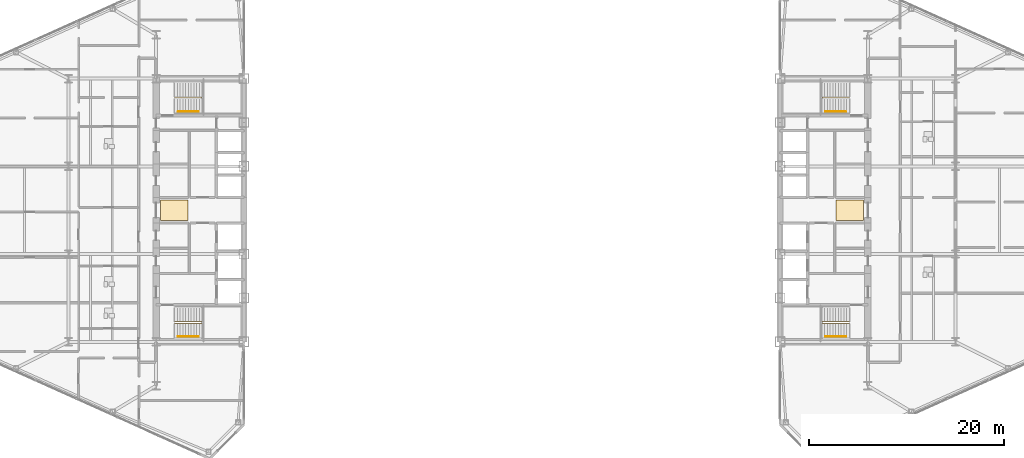
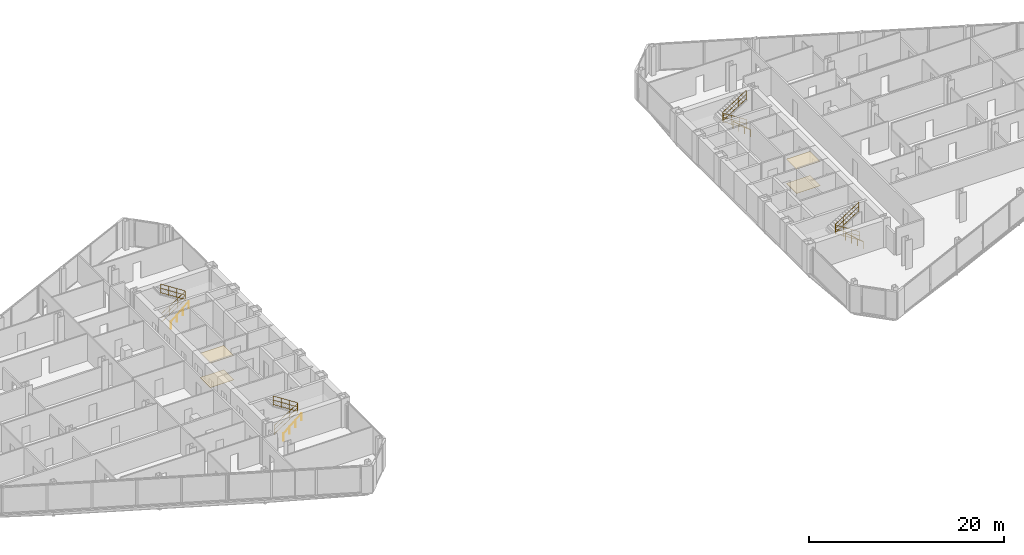
# One storey, part 26 of 27: 8 railings, 4 coverings.
"""IFC4 building model written with IfcOpenShell, lengths in metres."""

from ifc_helpers import new_model, si_unit, direction, frame, origin, origin_2d, place, context, subcontext, project, spatial, polyline, circle, outline, extrude, material, layer, layer_set, type_object, element, save


model = new_model("IFC4")

# Units and contexts
model_context = context("Model", 3, precision=1e-05, world=origin(), true_north=direction((0.0, 1.0)))
body_context = subcontext(model_context, "Body", "Model", "MODEL_VIEW")
ifc_project = project(units=[si_unit("LENGTHUNIT", "METRE"), si_unit("AREAUNIT", "SQUARE_METRE"), si_unit("VOLUMEUNIT", "CUBIC_METRE"), si_unit("PLANEANGLEUNIT", "RADIAN"), si_unit("MASSUNIT", "GRAM", prefix="KILO")], contexts=[model_context])

# Site, building, storey
site_placement = place(None, origin())
site = spatial("IfcSite", under=ifc_project, at=site_placement, CompositionType="ELEMENT")
building_placement = place(site_placement, origin())
building = spatial("IfcBuilding", under=site, at=building_placement, Name="Seokmaru Belvedere", CompositionType="ELEMENT")
storey_placement = place(building_placement, frame((0.0, 0.0, 69.300048828125)))
storey = spatial("IfcBuildingStorey", under=building, at=storey_placement, Name="L18", CompositionType="ELEMENT", Elevation=69.300048828125)

# Coverings
ifc_material_1 = material(Name="Engineered White Oak Timber", Category="wood")
ifc_layer_1 = layer(ifc_material_1, 0.02197265625)
ifc_layer_set_1 = layer_set([ifc_layer_1], Name="Engineered White Oak Timber")
covering_type_1 = type_object("IfcCoveringType", Name="Engineered Oak Residence Floor Finish 22", PredefinedType="FLOORING", material=ifc_layer_set_1)
covering_1_placement = place(storey_placement, origin())
element("IfcCovering", 1, at=covering_1_placement, inside=storey, type_object=covering_type_1, Name="L18 W Foyer Floor Finish", PredefinedType="FLOORING", context=body_context, shape_type="SweptSolid", body=[
    extrude(outline(polyline([(-36.050048828125, -1.050048828125), (-33.25, -1.050048828125), (-33.25, 1.050048828125), (-36.050048828125, 1.050048828125), (-36.050048828125, -1.050048828125)])), origin(), (0.0, 0.0, 1.0), 0.02197265625),
])
covering_2_placement = place(storey_placement, origin())
element("IfcCovering", 2, at=covering_2_placement, inside=storey, type_object=covering_type_1, Name="L18 E Foyer Floor Finish", PredefinedType="FLOORING", context=body_context, shape_type="SweptSolid", body=[
    extrude(outline(polyline([(33.25, -1.050048828125), (36.050048828125, -1.050048828125), (36.050048828125, 1.050048828125), (33.25, 1.050048828125), (33.25, -1.050048828125)])), origin(), (0.0, 0.0, 1.0), 0.02197265625),
])
ifc_material_2 = material(Name="Fire-Rated Gypsum Shaftwall")
ifc_layer_2 = layer(ifc_material_2, 0.02490234375)
ifc_layer_set_2 = layer_set([ifc_layer_2], Name="Fire-Rated Gypsum Shaftwall")
covering_type_2 = type_object("IfcCoveringType", Name="Perforated Acoustic Gypsum Suspended Ceiling 25", PredefinedType="CEILING", material=ifc_layer_set_2)
covering_3_placement = place(storey_placement, frame((0.0, 0.0, 3.030029296875)))
element("IfcCovering", 3, at=covering_3_placement, inside=storey, type_object=covering_type_2, Name="L18 W Lift Foyer Acoustic Ceiling", PredefinedType="CEILING", context=body_context, shape_type="SweptSolid", body=[
    extrude(outline(polyline([(-36.050048828125, -1.050048828125), (-33.25, -1.050048828125), (-33.25, 1.050048828125), (-36.050048828125, 1.050048828125), (-36.050048828125, -1.050048828125)])), origin(), (0.0, 0.0, 1.0), 0.02490234375),
])
covering_4_placement = place(storey_placement, frame((0.0, 0.0, 3.030029296875)))
element("IfcCovering", 4, at=covering_4_placement, inside=storey, type_object=covering_type_2, Name="L18 E Lift Foyer Acoustic Ceiling", PredefinedType="CEILING", context=body_context, shape_type="SweptSolid", body=[
    extrude(outline(polyline([(33.25, -1.050048828125), (36.050048828125, -1.050048828125), (36.050048828125, 1.050048828125), (33.25, 1.050048828125), (33.25, -1.050048828125)])), origin(), (0.0, 0.0, 1.0), 0.02490234375),
])

# Railings
ifc_material_3 = material(Name="Stainless Steel 316", Category="steel")
railing_type_1 = type_object("IfcRailingType", Name="Stainless Steel Wall and Flight Handrail 900", PredefinedType="HANDRAIL", material=ifc_material_3)
for number, where, name in (
    (5, (-34.25, -12.949951171875, 0.0), "L18 Stair ST-W1 Wall Handrail"),
    (6, (-34.25, 10.110107421875, 0.0), "L18 Stair ST-W2 Wall Handrail"),
):
    element("IfcRailing", number, at=place(storey_placement, frame(where)), inside=storey, type_object=railing_type_1, Name=name, PredefinedType="HANDRAIL", context=body_context, shape_type="SweptSolid", body=[
        extrude(circle(Radius=0.02392578125, at=origin_2d()), frame((0.0, 0.0, 0.8759765625), z_axis=(0.759262832861, 0.0, 0.650784104474), x_axis=(0.0, 1.0, 0.0)), (0.0, 0.0, 1.0), 2.765869140625),
        extrude(circle(Radius=0.02099609375, at=origin_2d()), origin(), (0.0, 0.0, 1.0), 0.851806640625),
        extrude(circle(Radius=0.02099609375, at=origin_2d()), frame((0.699951171875, 0.0, 0.60009765625)), (0.0, 0.0, 1.0), 0.851806640625),
        extrude(circle(Radius=0.02099609375, at=origin_2d()), frame((1.400146484375, 0.0, 1.199951171875)), (0.0, 0.0, 1.0), 0.851806640625),
        extrude(circle(Radius=0.02099609375, at=origin_2d()), frame((2.10009765625, 0.0, 1.800048828125)), (0.0, 0.0, 1.0), 0.851806640625),
    ])
for number, where, name in (
    (7, (34.25, -12.949951171875, 0.0), "L18 Stair ST-E1 Wall Handrail"),
    (8, (34.25, 10.110107421875, 0.0), "L18 Stair ST-E2 Wall Handrail"),
):
    element("IfcRailing", number, at=place(storey_placement, frame(where)), inside=storey, type_object=railing_type_1, Name=name, PredefinedType="HANDRAIL", context=body_context, shape_type="SweptSolid", body=[
        extrude(circle(Radius=0.02392578125, at=origin_2d()), frame((0.0, 0.0, 0.8759765625), z_axis=(-0.759262832861, 0.0, 0.650784104474), x_axis=(0.0, -1.0, 0.0)), (0.0, 0.0, 1.0), 2.765869140625),
        extrude(circle(Radius=0.02099609375, at=origin_2d()), origin(), (0.0, 0.0, 1.0), 0.851806640625),
        extrude(circle(Radius=0.02099609375, at=origin_2d()), frame((-0.699951171875, 0.0, 0.60009765625)), (0.0, 0.0, 1.0), 0.851806640625),
        extrude(circle(Radius=0.02099609375, at=origin_2d()), frame((-1.400146484375, 0.0, 1.199951171875)), (0.0, 0.0, 1.0), 0.851806640625),
        extrude(circle(Radius=0.02099609375, at=origin_2d()), frame((-2.10009765625, 0.0, 1.800048828125)), (0.0, 0.0, 1.0), 0.851806640625),
    ])
railing_type_2 = type_object("IfcRailingType", Name="Stair Well and Atrium Steel Guardrail 1200", PredefinedType="GUARDRAIL", material=ifc_material_3)
railing_1_placement = place(storey_placement, frame((-34.60009765625, -11.60009765625, 0.0)))
element("IfcRailing", 9, at=railing_1_placement, inside=storey, type_object=railing_type_2, Name="L18 Stair ST-W1 Inner Well Guardrail", PredefinedType="GUARDRAIL", context=body_context, shape_type="SweptSolid", body=[
    extrude(circle(Radius=0.02392578125, at=origin_2d()), frame((0.0, 0.0, 1.17578125), z_axis=(0.841176092368, 0.0, 0.540761298198), x_axis=(0.0, 1.0, 0.0)), (0.0, 0.0, 1.0), 3.32861328125),
    extrude(circle(Radius=0.02392578125, at=origin_2d()), frame((0.0, 0.0, 0.1201171875), z_axis=(0.841176092368, 0.0, 0.540761298198), x_axis=(0.0, 1.0, 0.0)), (0.0, 0.0, 1.0), 3.32861328125),
    extrude(circle(Radius=0.02392578125, at=origin_2d()), frame((0.0, 0.0, 0.659912109375), z_axis=(0.841176092368, 0.0, 0.540761298198), x_axis=(0.0, 1.0, 0.0)), (0.0, 0.0, 1.0), 3.32861328125),
    extrude(circle(Radius=0.02392578125, at=origin_2d()), frame((2.800048828125, 0.0, 2.97607421875), z_axis=(0.0, 1.0, 0.0), x_axis=(-1.0, 0.0, 0.0)), (0.0, 0.0, 1.0), 0.14013671875),
    extrude(circle(Radius=0.02392578125, at=origin_2d()), frame((2.800048828125, 0.0, 1.920166015625), z_axis=(0.0, 1.0, 0.0), x_axis=(-1.0, 0.0, 0.0)), (0.0, 0.0, 1.0), 0.14013671875),
    extrude(circle(Radius=0.02392578125, at=origin_2d()), frame((2.800048828125, 0.0, 2.4599609375), z_axis=(0.0, 1.0, 0.0), x_axis=(-1.0, 0.0, 0.0)), (0.0, 0.0, 1.0), 0.14013671875),
    extrude(circle(Radius=0.02392578125, at=origin_2d()), frame((2.800048828125, 0.14013671875, 2.97607421875), z_axis=(-0.841209454229, 0.0, 0.540709398952), x_axis=(0.0, -1.0, 0.0)), (0.0, 0.0, 1.0), 3.32861328125),
    extrude(circle(Radius=0.02392578125, at=origin_2d()), frame((2.800048828125, 0.14013671875, 1.920166015625), z_axis=(-0.841209454229, 0.0, 0.540709398952), x_axis=(0.0, -1.0, 0.0)), (0.0, 0.0, 1.0), 3.32861328125),
    extrude(circle(Radius=0.02392578125, at=origin_2d()), frame((2.800048828125, 0.14013671875, 2.4599609375), z_axis=(-0.841209454229, 0.0, 0.540709398952), x_axis=(0.0, -1.0, 0.0)), (0.0, 0.0, 1.0), 3.32861328125),
    extrude(circle(Radius=0.02099609375, at=origin_2d()), origin(), (0.0, 0.0, 1.0), 1.15185546875),
    extrude(circle(Radius=0.02099609375, at=origin_2d()), frame((0.933349609375, 0.0, 0.60009765625)), (0.0, 0.0, 1.0), 1.15185546875),
    extrude(circle(Radius=0.02099609375, at=origin_2d()), frame((1.86669921875, 0.0, 1.199951171875)), (0.0, 0.0, 1.0), 1.15185546875),
    extrude(circle(Radius=0.02099609375, at=origin_2d()), frame((2.800048828125, 0.0, 1.800048828125)), (0.0, 0.0, 1.0), 1.15185546875),
    extrude(circle(Radius=0.02099609375, at=origin_2d()), frame((2.800048828125, 0.14013671875, 1.800048828125)), (0.0, 0.0, 1.0), 1.15185546875),
    extrude(circle(Radius=0.02099609375, at=origin_2d()), frame((1.86669921875, 0.14013671875, 2.39990234375)), (0.0, 0.0, 1.0), 1.15185546875),
    extrude(circle(Radius=0.02099609375, at=origin_2d()), frame((0.933349609375, 0.14013671875, 3.0)), (0.0, 0.0, 1.0), 1.15185546875),
    extrude(circle(Radius=0.02099609375, at=origin_2d()), frame((0.0, 0.14013671875, 3.599853515625)), (0.0, 0.0, 1.0), 1.15185546875),
])
railing_2_placement = place(storey_placement, frame((-34.60009765625, 11.4599609375, 0.0)))
element("IfcRailing", 10, at=railing_2_placement, inside=storey, type_object=railing_type_2, Name="L18 Stair ST-W2 Inner Well Guardrail", PredefinedType="GUARDRAIL", context=body_context, shape_type="SweptSolid", body=[
    extrude(circle(Radius=0.02392578125, at=origin_2d()), frame((0.0, 0.0, 1.17578125), z_axis=(0.841176092368, 0.0, 0.540761298198), x_axis=(0.0, 1.0, 0.0)), (0.0, 0.0, 1.0), 3.32861328125),
    extrude(circle(Radius=0.02392578125, at=origin_2d()), frame((0.0, 0.0, 0.1201171875), z_axis=(0.841176092368, 0.0, 0.540761298198), x_axis=(0.0, 1.0, 0.0)), (0.0, 0.0, 1.0), 3.32861328125),
    extrude(circle(Radius=0.02392578125, at=origin_2d()), frame((0.0, 0.0, 0.659912109375), z_axis=(0.841176092368, 0.0, 0.540761298198), x_axis=(0.0, 1.0, 0.0)), (0.0, 0.0, 1.0), 3.32861328125),
    extrude(circle(Radius=0.02392578125, at=origin_2d()), frame((2.800048828125, 0.0, 2.97607421875), z_axis=(0.0, 1.0, 0.0), x_axis=(-1.0, 0.0, 0.0)), (0.0, 0.0, 1.0), 0.14013671875),
    extrude(circle(Radius=0.02392578125, at=origin_2d()), frame((2.800048828125, 0.0, 1.920166015625), z_axis=(0.0, 1.0, 0.0), x_axis=(-1.0, 0.0, 0.0)), (0.0, 0.0, 1.0), 0.14013671875),
    extrude(circle(Radius=0.02392578125, at=origin_2d()), frame((2.800048828125, 0.0, 2.4599609375), z_axis=(0.0, 1.0, 0.0), x_axis=(-1.0, 0.0, 0.0)), (0.0, 0.0, 1.0), 0.14013671875),
    extrude(circle(Radius=0.02392578125, at=origin_2d()), frame((2.800048828125, 0.14013671875, 2.97607421875), z_axis=(-0.841209454229, 0.0, 0.540709398952), x_axis=(0.0, -1.0, 0.0)), (0.0, 0.0, 1.0), 3.32861328125),
    extrude(circle(Radius=0.02392578125, at=origin_2d()), frame((2.800048828125, 0.14013671875, 1.920166015625), z_axis=(-0.841209454229, 0.0, 0.540709398952), x_axis=(0.0, -1.0, 0.0)), (0.0, 0.0, 1.0), 3.32861328125),
    extrude(circle(Radius=0.02392578125, at=origin_2d()), frame((2.800048828125, 0.14013671875, 2.4599609375), z_axis=(-0.841209454229, 0.0, 0.540709398952), x_axis=(0.0, -1.0, 0.0)), (0.0, 0.0, 1.0), 3.32861328125),
    extrude(circle(Radius=0.02099609375, at=origin_2d()), origin(), (0.0, 0.0, 1.0), 1.15185546875),
    extrude(circle(Radius=0.02099609375, at=origin_2d()), frame((0.933349609375, 0.0, 0.60009765625)), (0.0, 0.0, 1.0), 1.15185546875),
    extrude(circle(Radius=0.02099609375, at=origin_2d()), frame((1.86669921875, 0.0, 1.199951171875)), (0.0, 0.0, 1.0), 1.15185546875),
    extrude(circle(Radius=0.02099609375, at=origin_2d()), frame((2.800048828125, 0.0, 1.800048828125)), (0.0, 0.0, 1.0), 1.15185546875),
    extrude(circle(Radius=0.02099609375, at=origin_2d()), frame((2.800048828125, 0.14013671875, 1.800048828125)), (0.0, 0.0, 1.0), 1.15185546875),
    extrude(circle(Radius=0.02099609375, at=origin_2d()), frame((1.86669921875, 0.14013671875, 2.39990234375)), (0.0, 0.0, 1.0), 1.15185546875),
    extrude(circle(Radius=0.02099609375, at=origin_2d()), frame((0.933349609375, 0.14013671875, 3.0)), (0.0, 0.0, 1.0), 1.15185546875),
    extrude(circle(Radius=0.02099609375, at=origin_2d()), frame((0.0, 0.14013671875, 3.599853515625)), (0.0, 0.0, 1.0), 1.15185546875),
])
railing_3_placement = place(storey_placement, frame((34.60009765625, -11.60009765625, 0.0)))
element("IfcRailing", 11, at=railing_3_placement, inside=storey, type_object=railing_type_2, Name="L18 Stair ST-E1 Inner Well Guardrail", PredefinedType="GUARDRAIL", context=body_context, shape_type="SweptSolid", body=[
    extrude(circle(Radius=0.02392578125, at=origin_2d()), frame((0.0, 0.0, 1.17578125), z_axis=(-0.841176092368, 0.0, 0.540761298198), x_axis=(0.0, -1.0, 0.0)), (0.0, 0.0, 1.0), 3.32861328125),
    extrude(circle(Radius=0.02392578125, at=origin_2d()), frame((0.0, 0.0, 0.1201171875), z_axis=(-0.841176092368, 0.0, 0.540761298198), x_axis=(0.0, -1.0, 0.0)), (0.0, 0.0, 1.0), 3.32861328125),
    extrude(circle(Radius=0.02392578125, at=origin_2d()), frame((0.0, 0.0, 0.659912109375), z_axis=(-0.841176092368, 0.0, 0.540761298198), x_axis=(0.0, -1.0, 0.0)), (0.0, 0.0, 1.0), 3.32861328125),
    extrude(circle(Radius=0.02392578125, at=origin_2d()), frame((-2.800048828125, 0.0, 2.97607421875), z_axis=(0.0, 1.0, 0.0), x_axis=(-1.0, 0.0, 0.0)), (0.0, 0.0, 1.0), 0.14013671875),
    extrude(circle(Radius=0.02392578125, at=origin_2d()), frame((-2.800048828125, 0.0, 1.920166015625), z_axis=(0.0, 1.0, 0.0), x_axis=(-1.0, 0.0, 0.0)), (0.0, 0.0, 1.0), 0.14013671875),
    extrude(circle(Radius=0.02392578125, at=origin_2d()), frame((-2.800048828125, 0.0, 2.4599609375), z_axis=(0.0, 1.0, 0.0), x_axis=(-1.0, 0.0, 0.0)), (0.0, 0.0, 1.0), 0.14013671875),
    extrude(circle(Radius=0.02392578125, at=origin_2d()), frame((-2.800048828125, 0.14013671875, 2.97607421875), z_axis=(0.841209454229, 0.0, 0.540709398952), x_axis=(0.0, 1.0, 0.0)), (0.0, 0.0, 1.0), 3.32861328125),
    extrude(circle(Radius=0.02392578125, at=origin_2d()), frame((-2.800048828125, 0.14013671875, 1.920166015625), z_axis=(0.841209454229, 0.0, 0.540709398952), x_axis=(0.0, 1.0, 0.0)), (0.0, 0.0, 1.0), 3.32861328125),
    extrude(circle(Radius=0.02392578125, at=origin_2d()), frame((-2.800048828125, 0.14013671875, 2.4599609375), z_axis=(0.841209454229, 0.0, 0.540709398952), x_axis=(0.0, 1.0, 0.0)), (0.0, 0.0, 1.0), 3.32861328125),
    extrude(circle(Radius=0.02099609375, at=origin_2d()), origin(), (0.0, 0.0, 1.0), 1.15185546875),
    extrude(circle(Radius=0.02099609375, at=origin_2d()), frame((-0.933349609375, 0.0, 0.60009765625)), (0.0, 0.0, 1.0), 1.15185546875),
    extrude(circle(Radius=0.02099609375, at=origin_2d()), frame((-1.86669921875, 0.0, 1.199951171875)), (0.0, 0.0, 1.0), 1.15185546875),
    extrude(circle(Radius=0.02099609375, at=origin_2d()), frame((-2.800048828125, 0.0, 1.800048828125)), (0.0, 0.0, 1.0), 1.15185546875),
    extrude(circle(Radius=0.02099609375, at=origin_2d()), frame((-2.800048828125, 0.14013671875, 1.800048828125)), (0.0, 0.0, 1.0), 1.15185546875),
    extrude(circle(Radius=0.02099609375, at=origin_2d()), frame((-1.86669921875, 0.14013671875, 2.39990234375)), (0.0, 0.0, 1.0), 1.15185546875),
    extrude(circle(Radius=0.02099609375, at=origin_2d()), frame((-0.933349609375, 0.14013671875, 3.0)), (0.0, 0.0, 1.0), 1.15185546875),
    extrude(circle(Radius=0.02099609375, at=origin_2d()), frame((0.0, 0.14013671875, 3.599853515625)), (0.0, 0.0, 1.0), 1.15185546875),
])
railing_4_placement = place(storey_placement, frame((34.60009765625, 11.4599609375, 0.0)))
element("IfcRailing", 12, at=railing_4_placement, inside=storey, type_object=railing_type_2, Name="L18 Stair ST-E2 Inner Well Guardrail", PredefinedType="GUARDRAIL", context=body_context, shape_type="SweptSolid", body=[
    extrude(circle(Radius=0.02392578125, at=origin_2d()), frame((0.0, 0.0, 1.17578125), z_axis=(-0.841176092368, 0.0, 0.540761298198), x_axis=(0.0, -1.0, 0.0)), (0.0, 0.0, 1.0), 3.32861328125),
    extrude(circle(Radius=0.02392578125, at=origin_2d()), frame((0.0, 0.0, 0.1201171875), z_axis=(-0.841176092368, 0.0, 0.540761298198), x_axis=(0.0, -1.0, 0.0)), (0.0, 0.0, 1.0), 3.32861328125),
    extrude(circle(Radius=0.02392578125, at=origin_2d()), frame((0.0, 0.0, 0.659912109375), z_axis=(-0.841176092368, 0.0, 0.540761298198), x_axis=(0.0, -1.0, 0.0)), (0.0, 0.0, 1.0), 3.32861328125),
    extrude(circle(Radius=0.02392578125, at=origin_2d()), frame((-2.800048828125, 0.0, 2.97607421875), z_axis=(0.0, 1.0, 0.0), x_axis=(-1.0, 0.0, 0.0)), (0.0, 0.0, 1.0), 0.14013671875),
    extrude(circle(Radius=0.02392578125, at=origin_2d()), frame((-2.800048828125, 0.0, 1.920166015625), z_axis=(0.0, 1.0, 0.0), x_axis=(-1.0, 0.0, 0.0)), (0.0, 0.0, 1.0), 0.14013671875),
    extrude(circle(Radius=0.02392578125, at=origin_2d()), frame((-2.800048828125, 0.0, 2.4599609375), z_axis=(0.0, 1.0, 0.0), x_axis=(-1.0, 0.0, 0.0)), (0.0, 0.0, 1.0), 0.14013671875),
    extrude(circle(Radius=0.02392578125, at=origin_2d()), frame((-2.800048828125, 0.14013671875, 2.97607421875), z_axis=(0.841209454229, 0.0, 0.540709398952), x_axis=(0.0, 1.0, 0.0)), (0.0, 0.0, 1.0), 3.32861328125),
    extrude(circle(Radius=0.02392578125, at=origin_2d()), frame((-2.800048828125, 0.14013671875, 1.920166015625), z_axis=(0.841209454229, 0.0, 0.540709398952), x_axis=(0.0, 1.0, 0.0)), (0.0, 0.0, 1.0), 3.32861328125),
    extrude(circle(Radius=0.02392578125, at=origin_2d()), frame((-2.800048828125, 0.14013671875, 2.4599609375), z_axis=(0.841209454229, 0.0, 0.540709398952), x_axis=(0.0, 1.0, 0.0)), (0.0, 0.0, 1.0), 3.32861328125),
    extrude(circle(Radius=0.02099609375, at=origin_2d()), origin(), (0.0, 0.0, 1.0), 1.15185546875),
    extrude(circle(Radius=0.02099609375, at=origin_2d()), frame((-0.933349609375, 0.0, 0.60009765625)), (0.0, 0.0, 1.0), 1.15185546875),
    extrude(circle(Radius=0.02099609375, at=origin_2d()), frame((-1.86669921875, 0.0, 1.199951171875)), (0.0, 0.0, 1.0), 1.15185546875),
    extrude(circle(Radius=0.02099609375, at=origin_2d()), frame((-2.800048828125, 0.0, 1.800048828125)), (0.0, 0.0, 1.0), 1.15185546875),
    extrude(circle(Radius=0.02099609375, at=origin_2d()), frame((-2.800048828125, 0.14013671875, 1.800048828125)), (0.0, 0.0, 1.0), 1.15185546875),
    extrude(circle(Radius=0.02099609375, at=origin_2d()), frame((-1.86669921875, 0.14013671875, 2.39990234375)), (0.0, 0.0, 1.0), 1.15185546875),
    extrude(circle(Radius=0.02099609375, at=origin_2d()), frame((-0.933349609375, 0.14013671875, 3.0)), (0.0, 0.0, 1.0), 1.15185546875),
    extrude(circle(Radius=0.02099609375, at=origin_2d()), frame((0.0, 0.14013671875, 3.599853515625)), (0.0, 0.0, 1.0), 1.15185546875),
])

save(model, "model.ifc")
